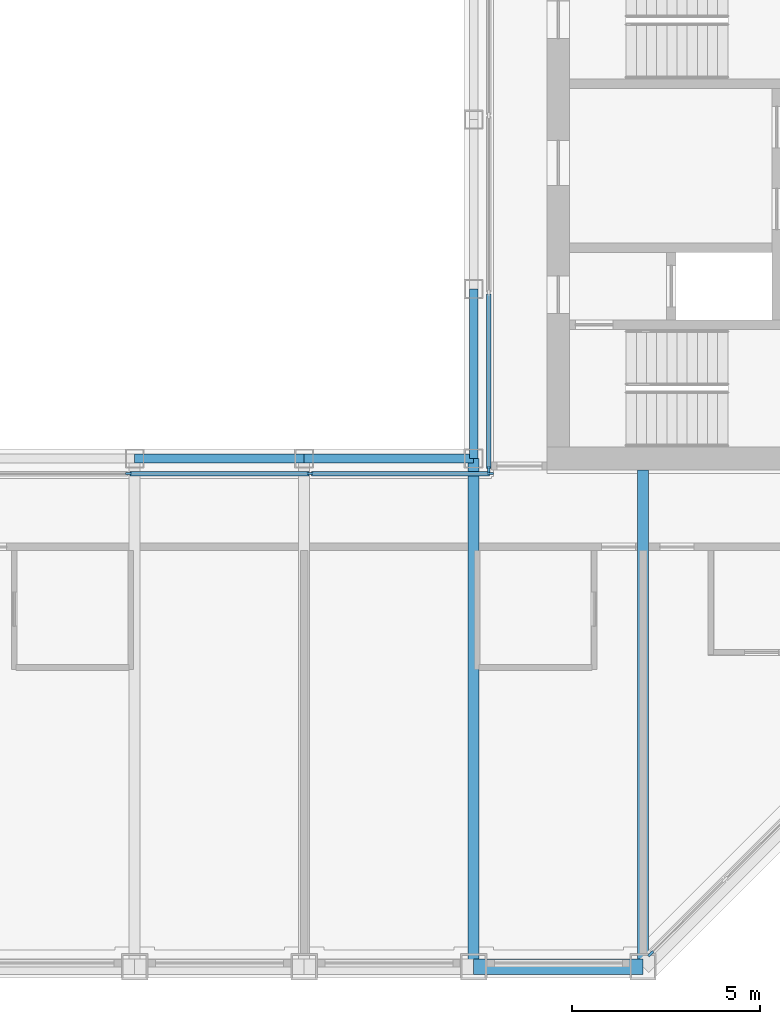
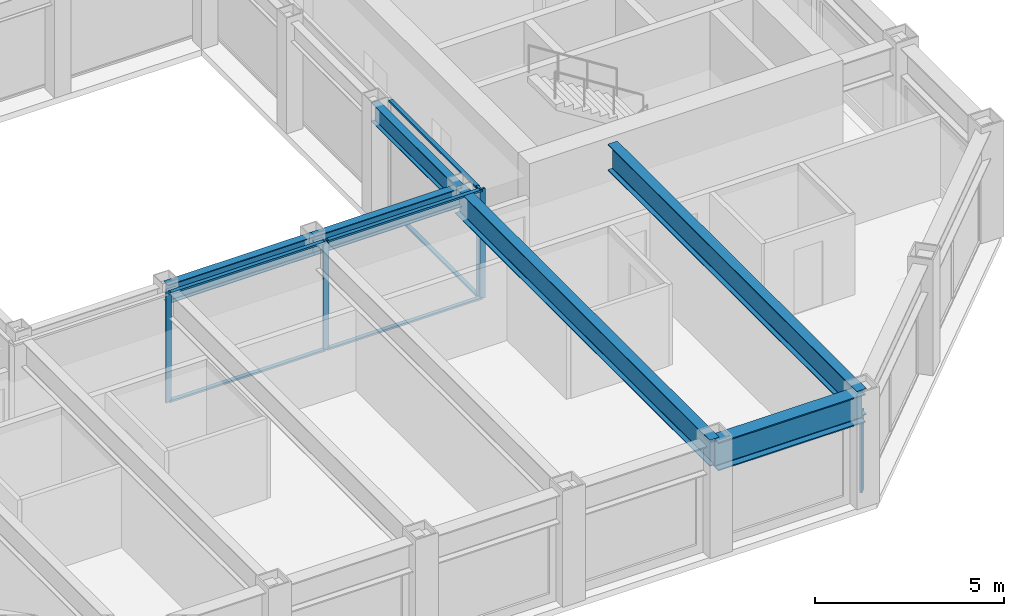
# One storey, part 3 of 16: 11 members, 6 beams, 3 elements without a shape of their own.
"""IFC4 building model written with IfcOpenShell, lengths in metres."""

import ifcopenshell
import ifcopenshell.guid

model = None  # the IFC model being written
_history = None  # IfcOwnerHistory: only IFC2X3 demands one
_inside = {}  # id of a spatial element -> (the spatial element, [elements in it])
_under = {}  # id of a project, library or spatial element -> (it, [spatial elements below it])
_declared = {}  # id of a project -> (the project, [libraries it declares])
_typed = {}  # id of a type object -> (the type object, [elements of that type])
_made_of = {}  # id of a material, layer set ... -> (it, [elements and type objects made of it])


def new_model(schema):
    """Start an empty IFC model of exactly this schema.

    Asked for "IFC4X3", IfcOpenShell would pick the latest addendum, in which some entities
    have other attributes; the version numbers below select the first issue.
    IFC2X3 requires an IfcOwnerHistory on every rooted entity: one is made here for all.
    """
    global model, _history
    if schema == "IFC4X3":
        model = ifcopenshell.file(schema_version=(4, 3, 0, 0))
    else:
        model = ifcopenshell.file(schema=schema)
    _inside.clear()
    _under.clear()
    _declared.clear()
    _typed.clear()
    _made_of.clear()
    _history = None
    if model.schema == "IFC2X3":
        org = make("IfcOrganization", Name="unknown")
        user = make(
            "IfcPersonAndOrganization",
            ThePerson=make("IfcPerson", FamilyName="unknown"),
            TheOrganization=org,
        )
        app = make(
            "IfcApplication",
            ApplicationDeveloper=org,
            Version="unknown",
            ApplicationFullName="unknown",
            ApplicationIdentifier="unknown",
        )
        _history = make(
            "IfcOwnerHistory",
            OwningUser=user,
            OwningApplication=app,
            ChangeAction="ADDED",
            CreationDate=0,
        )
    return model


def make(cls, **values):
    """One entity of the class cls with the attributes given. An attribute that is None is left unset."""
    return model.create_entity(
        cls, **{name: value for name, value in values.items() if value is not None}
    )


def rooted(cls, **values):
    """An entity with a GlobalId (a new one), such as an element, a storey or a relation."""
    return make(cls, GlobalId=ifcopenshell.guid.new(), OwnerHistory=_history, **values)


def si_unit(unit_type, name, prefix=None):
    """IfcSIUnit, for example si_unit("LENGTHUNIT", "METRE", prefix="MILLI")."""
    return make("IfcSIUnit", UnitType=unit_type, Prefix=prefix, Name=name)


def assignment(units):
    """IfcUnitAssignment: the units of a project."""
    return None if units is None else make("IfcUnitAssignment", Units=units)


def point(xyz):
    """IfcCartesianPoint."""
    return None if xyz is None else make("IfcCartesianPoint", Coordinates=xyz)


def direction(xyz):
    """IfcDirection."""
    return None if xyz is None else make("IfcDirection", DirectionRatios=xyz)


def frame(location, z_axis=None, x_axis=None):
    """IfcAxis2Placement3D, a coordinate frame: its origin and axes. An axis left out is left unset."""
    return make(
        "IfcAxis2Placement3D",
        Location=point(location),
        Axis=direction(z_axis),
        RefDirection=direction(x_axis),
    )


def frame_2d(location, x_axis=None):
    """IfcAxis2Placement2D, a coordinate frame in the plane: its origin and x axis."""
    return make(
        "IfcAxis2Placement2D", Location=point(location), RefDirection=direction(x_axis)
    )


def origin():
    """The frame at (0, 0, 0) with its axes left unset."""
    return frame((0.0, 0.0, 0.0))


def origin_2d():
    """The frame at (0, 0) in the plane with its x axis left unset."""
    return frame_2d((0.0, 0.0))


def place(relative_to, where):
    """IfcLocalPlacement: puts the frame where relative to a parent placement (None: the world)."""
    return make(
        "IfcLocalPlacement", PlacementRelTo=relative_to, RelativePlacement=where
    )


def context(
    kind, dimensions, precision=None, world=None, true_north=None, identifier=None
):
    """IfcGeometricRepresentationContext, for example the 3D "Model" context."""
    return make(
        "IfcGeometricRepresentationContext",
        ContextIdentifier=identifier,
        ContextType=kind,
        CoordinateSpaceDimension=dimensions,
        Precision=precision,
        WorldCoordinateSystem=world,
        TrueNorth=true_north,
    )


def subcontext(parent, identifier, kind, view, scale=None):
    """IfcGeometricRepresentationSubContext, for example "Body" below "Model"."""
    return make(
        "IfcGeometricRepresentationSubContext",
        ContextIdentifier=identifier,
        ContextType=kind,
        ParentContext=parent,
        TargetScale=scale,
        TargetView=view,
    )


def project(units=None, contexts=None):
    """IfcProject with its units and contexts."""
    return rooted(
        "IfcProject",
        Name="project",
        RepresentationContexts=contexts,
        UnitsInContext=assignment(units),
    )


def spatial(cls, under=None, at=None, **own):
    """A site, building, storey or space (cls), placed at a placement, below another one or the project."""
    s = rooted(cls, ObjectPlacement=at, **own)
    if under is not None:
        _under.setdefault(under.id(), (under, []))[1].append(s)
    return s


def profile(cls, at=None, kind="AREA", **sizes):
    """A parametric profile (cls). Its sizes go by their IFC names, for example OverallWidth=200.0."""
    return make(cls, ProfileType=kind, Position=at, **sizes)


def rectangle(**sizes):
    """IfcRectangleProfileDef."""
    return profile("IfcRectangleProfileDef", **sizes)


def i_section(**sizes):
    """IfcIShapeProfileDef."""
    return profile("IfcIShapeProfileDef", **sizes)


def extrude(swept, where, along, depth):
    """IfcExtrudedAreaSolid: the profile swept, set in the frame where, extruded along a direction by depth."""
    return make(
        "IfcExtrudedAreaSolid",
        SweptArea=swept,
        Position=where,
        ExtrudedDirection=direction(along),
        Depth=depth,
    )


def shape(context_of_items, identifier, shape_type, items):
    """IfcShapeRepresentation: the items that make up one representation, for example the "Body"."""
    return make(
        "IfcShapeRepresentation",
        ContextOfItems=context_of_items,
        RepresentationIdentifier=identifier,
        RepresentationType=shape_type,
        Items=items,
    )


def material(Name=None, Category=None):
    """IfcMaterial."""
    return make("IfcMaterial", Name=Name, Category=Category)


def material_profile(
    of_material, cross_section, Name=None, Category=None, Priority=None
):
    """IfcMaterialProfile: a cross section and its material."""
    return make(
        "IfcMaterialProfile",
        Name=Name,
        Material=of_material,
        Profile=cross_section,
        Priority=Priority,
        Category=Category,
    )


def profile_set(profiles, Name=None, composite=None):
    """IfcMaterialProfileSet."""
    return make(
        "IfcMaterialProfileSet",
        Name=Name,
        MaterialProfiles=profiles,
        CompositeProfile=composite,
    )


def made_of(thing, what):
    """Note that an element or type object is made of a material, layer set ...; save() writes the relation."""
    if what is not None:
        _made_of.setdefault(what.id(), (what, []))[1].append(thing)
    return thing


def type_object(cls, material=None, **own):
    """A type object (cls), such as IfcWallType, which elements share."""
    return made_of(rooted(cls, **own), material)


def element(
    cls,
    number,
    at=None,
    inside=None,
    cuts=None,
    type_object=None,
    material=None,
    context=None,
    identifier="Body",
    shape_type=None,
    held_by="IfcProductDefinitionShape",
    body=None,
    shapes=None,
    **own,
):
    """One element of the class cls, such as IfcWall. Its Tag is "e" and its number.

    at: its placement. inside: the storey or other place that contains it. cuts: it is an
    opening in that element (IfcRelVoidsElement). A single representation is given by context,
    identifier, shape_type and body (its items); several are given by shapes. held_by: the class
    of the entity that holds the representations. save() writes the other relations.
    """
    e = rooted(cls, Tag="e%d" % number, ObjectPlacement=at, **own)
    if body is not None:
        shapes = [shape(context, identifier, shape_type, body)]
    if shapes is not None:
        e.Representation = make(held_by, Representations=shapes)
    if inside is not None:
        _inside.setdefault(inside.id(), (inside, []))[1].append(e)
    if cuts is not None:
        rooted(
            "IfcRelVoidsElement", RelatingBuildingElement=cuts, RelatedOpeningElement=e
        )
    if type_object is not None:
        _typed.setdefault(type_object.id(), (type_object, []))[1].append(e)
    return made_of(e, material)


def aggregate(whole, parts):
    """IfcRelAggregates: a whole, such as a stair, and the parts it consists of."""
    return rooted("IfcRelAggregates", RelatingObject=whole, RelatedObjects=parts)


def save(model, path):
    """Write the relations noted so far, then the file.

    IfcRelAggregates (storeys below a building ...), IfcRelContainedInSpatialStructure (elements
    in a storey), IfcRelDefinesByType, IfcRelAssociatesMaterial and IfcRelDeclares: one each for
    every whole, place, type object, material and project.
    """
    for whole, parts in _under.values():
        aggregate(whole, parts)
    for where, things in _inside.values():
        rooted(
            "IfcRelContainedInSpatialStructure",
            RelatedElements=things,
            RelatingStructure=where,
        )
    for kind, things in _typed.values():
        rooted("IfcRelDefinesByType", RelatedObjects=things, RelatingType=kind)
    for what, things in _made_of.values():
        rooted("IfcRelAssociatesMaterial", RelatedObjects=things, RelatingMaterial=what)
    for by, libraries in _declared.values():
        rooted("IfcRelDeclares", RelatingContext=by, RelatedDefinitions=libraries)
    model.write(path)


model = new_model("IFC4")

# Units and contexts
model_context = context("Model", 3, precision=1e-05, world=origin(), true_north=direction((0.0, 1.0)))
body_context = subcontext(model_context, "Body", "Model", "MODEL_VIEW")
ifc_project = project(units=[si_unit("LENGTHUNIT", "METRE"), si_unit("AREAUNIT", "SQUARE_METRE"), si_unit("VOLUMEUNIT", "CUBIC_METRE"), si_unit("PLANEANGLEUNIT", "RADIAN"), si_unit("MASSUNIT", "GRAM", prefix="KILO")], contexts=[model_context])

# Site, building, storey
site_placement = place(None, origin())
site = spatial("IfcSite", under=ifc_project, at=site_placement, CompositionType="ELEMENT")
building_placement = place(site_placement, origin())
building = spatial("IfcBuilding", under=site, at=building_placement, Name="Msasa Ring Tower", CompositionType="ELEMENT")
storey_placement = place(building_placement, frame((0.0, 0.0, 212.050048828125)))
storey = spatial("IfcBuildingStorey", under=building, at=storey_placement, Name="L55", CompositionType="ELEMENT", Elevation=212.050048828125)

# Curtain wall, member
ifc_material_1 = material(Name="Aluminium curtain wall with clear glass", Category="aluminium")
curtain_wall_type_1 = type_object("IfcCurtainWallType", Name="CW-C CHAMFER CORNER CURTAIN WALL", PredefinedType="NOTDEFINED", material=ifc_material_1)
curtain_wall_1_placement = place(storey_placement, origin())
curtain_wall_1 = element("IfcCurtainWall", 1, at=curtain_wall_1_placement, inside=storey, type_object=curtain_wall_type_1, Name="Chamfer corner curtain wall SE L55", PredefinedType="NOTDEFINED")
ifc_material_2 = material(Name="Aluminium mullion", Category="aluminium")
ifc_material_profile_1 = material_profile(ifc_material_2, rectangle(XDim=0.06494140625, YDim=0.179931640625, at=origin_2d()), Name="AL 65x180")
ifc_profile_set_1 = profile_set([ifc_material_profile_1], Name="Aluminium mullion")
member_type_1 = type_object("IfcMemberType", Name="CW-C MULLION 65x180", PredefinedType="MULLION", material=ifc_profile_set_1)
member_1_placement = place(storey_placement, frame((11.453369140625, -19.9052734375, 0.0), z_axis=(0.0, 0.0, 1.0), x_axis=(-0.707106781187, 0.707106781187, 0.0)))
member_1 = element("IfcMember", 2, at=member_1_placement, type_object=member_type_1, Name="CW-C mullion 1", PredefinedType="MULLION", context=body_context, shape_type="SweptSolid", body=[
    extrude(rectangle(XDim=0.06494140625, YDim=0.179931640625, at=origin_2d()), origin(), (0.0, 0.0, 1.0), 2.62890625),
])
aggregate(curtain_wall_1, [member_1])

# Curtain wall, members
ifc_material_3 = material(Name="Aluminium curtain wall with clear glass", Category="aluminium")
curtain_wall_type_2 = type_object("IfcCurtainWallType", Name="CW-W LIGHT WELL CURTAIN WALL", PredefinedType="NOTDEFINED", material=ifc_material_3)
curtain_wall_2_placement = place(storey_placement, origin())
curtain_wall_2 = element("IfcCurtainWall", 3, at=curtain_wall_2_placement, inside=storey, type_object=curtain_wall_type_2, Name="Light well curtain wall S L55", PredefinedType="NOTDEFINED")
ifc_material_4 = material(Name="Aluminium mullion", Category="aluminium")
ifc_material_profile_2 = material_profile(ifc_material_4, rectangle(XDim=0.06005859375, YDim=0.159912109375, at=origin_2d()), Name="AL 60x160")
ifc_profile_set_2 = profile_set([ifc_material_profile_2], Name="Aluminium mullion")
member_type_2 = type_object("IfcMemberType", Name="CW-W MULLION 60x160", PredefinedType="MULLION", material=ifc_profile_set_2)
member_2_placement = place(storey_placement, frame((-2.409912109375, -7.14990234375, 0.0), z_axis=(0.0, 0.0, 1.0), x_axis=(0.0, 1.0, 0.0)))
member_2 = element("IfcMember", 4, at=member_2_placement, type_object=member_type_2, Name="CW-W mullion 2", PredefinedType="MULLION", context=body_context, shape_type="SweptSolid", body=[
    extrude(rectangle(XDim=0.06005859375, YDim=0.159912109375, at=origin_2d()), origin(), (0.0, 0.0, 1.0), 3.550048828125),
])
member_3_placement = place(storey_placement, frame((2.409912109375, -7.14990234375, 0.0), z_axis=(0.0, 0.0, 1.0), x_axis=(0.0, 1.0, 0.0)))
member_3 = element("IfcMember", 5, at=member_3_placement, type_object=member_type_2, Name="CW-W mullion 3", PredefinedType="MULLION", context=body_context, shape_type="SweptSolid", body=[
    extrude(rectangle(XDim=0.06005859375, YDim=0.159912109375, at=origin_2d()), origin(), (0.0, 0.0, 1.0), 3.550048828125),
])
member_4_placement = place(storey_placement, frame((7.199951171875, -7.14990234375, 0.0), z_axis=(0.0, 0.0, 1.0), x_axis=(0.0, 1.0, 0.0)))
member_4 = element("IfcMember", 6, at=member_4_placement, type_object=member_type_2, Name="CW-W mullion 4", PredefinedType="MULLION", context=body_context, shape_type="SweptSolid", body=[
    extrude(rectangle(XDim=0.06005859375, YDim=0.159912109375, at=origin_2d()), origin(), (0.0, 0.0, 1.0), 3.550048828125),
])

# Curtain wall, member
curtain_wall_3_placement = place(storey_placement, origin())
curtain_wall_3 = element("IfcCurtainWall", 7, at=curtain_wall_3_placement, inside=storey, type_object=curtain_wall_type_2, Name="Light well curtain wall E L55", PredefinedType="NOTDEFINED")
member_5_placement = place(storey_placement, frame((7.14990234375, -7.0400390625, 0.0), z_axis=(0.0, 0.0, 1.0), x_axis=(-1.0, 0.0, 0.0)))
member_5 = element("IfcMember", 8, at=member_5_placement, type_object=member_type_2, Name="CW-W mullion 1", PredefinedType="MULLION", context=body_context, shape_type="SweptSolid", body=[
    extrude(rectangle(XDim=0.06005859375, YDim=0.159912109375, at=origin_2d()), origin(), (0.0, 0.0, 1.0), 3.550048828125),
])

# Member
ifc_material_5 = material(Name="Aluminium transom", Category="aluminium")
ifc_material_profile_3 = material_profile(ifc_material_5, rectangle(XDim=0.1201171875, YDim=0.06005859375, at=origin_2d()), Name="AL 60x120")
ifc_profile_set_3 = profile_set([ifc_material_profile_3], Name="Aluminium transom")
member_type_3 = type_object("IfcMemberType", Name="CW-W TRANSOM 60x120", PredefinedType="USERDEFINED", material=ifc_profile_set_3)
member_6_placement = place(storey_placement, frame((-2.3798828125, -7.14990234375, 0.030029296875), z_axis=(1.0, 0.0, 0.0), x_axis=(0.0, 1.0, 0.0)))
member_6 = element("IfcMember", 9, at=member_6_placement, type_object=member_type_3, Name="CW-W transom 2.1", ObjectType="TRANSOM", PredefinedType="USERDEFINED", context=body_context, shape_type="SweptSolid", body=[
    extrude(rectangle(XDim=0.1201171875, YDim=0.06005859375, at=origin_2d()), origin(), (0.0, 0.0, 1.0), 4.759765625),
])

member_7_placement = place(storey_placement, frame((-2.3798828125, -7.14990234375, 3.52001953125), z_axis=(1.0, 0.0, 0.0), x_axis=(0.0, 1.0, 0.0)))
member_7 = element("IfcMember", 10, at=member_7_placement, type_object=member_type_3, Name="CW-W transom 2.2", ObjectType="TRANSOM", PredefinedType="USERDEFINED", context=body_context, shape_type="SweptSolid", body=[
    extrude(rectangle(XDim=0.1201171875, YDim=0.06005859375, at=origin_2d()), origin(), (0.0, 0.0, 1.0), 4.759765625),
])

member_8_placement = place(storey_placement, frame((2.43994140625, -7.14990234375, 0.030029296875), z_axis=(1.0, 0.0, 0.0), x_axis=(0.0, 1.0, 0.0)))
member_8 = element("IfcMember", 11, at=member_8_placement, type_object=member_type_3, Name="CW-W transom 3.1", ObjectType="TRANSOM", PredefinedType="USERDEFINED", context=body_context, shape_type="SweptSolid", body=[
    extrude(rectangle(XDim=0.1201171875, YDim=0.06005859375, at=origin_2d()), origin(), (0.0, 0.0, 1.0), 4.72998046875),
])

member_9_placement = place(storey_placement, frame((2.43994140625, -7.14990234375, 3.52001953125), z_axis=(1.0, 0.0, 0.0), x_axis=(0.0, 1.0, 0.0)))
member_9 = element("IfcMember", 12, at=member_9_placement, type_object=member_type_3, Name="CW-W transom 3.2", ObjectType="TRANSOM", PredefinedType="USERDEFINED", context=body_context, shape_type="SweptSolid", body=[
    extrude(rectangle(XDim=0.1201171875, YDim=0.06005859375, at=origin_2d()), origin(), (0.0, 0.0, 1.0), 4.72998046875),
])

aggregate(curtain_wall_2, [member_2, member_3, member_4, member_6, member_7, member_8, member_9])

member_10_placement = place(storey_placement, frame((7.14990234375, -7.010009765625, 0.030029296875), z_axis=(0.0, 1.0, 0.0), x_axis=(-1.0, 0.0, 0.0)))
member_10 = element("IfcMember", 13, at=member_10_placement, type_object=member_type_3, Name="CW-W transom 1.1", ObjectType="TRANSOM", PredefinedType="USERDEFINED", context=body_context, shape_type="SweptSolid", body=[
    extrude(rectangle(XDim=0.1201171875, YDim=0.06005859375, at=origin_2d()), origin(), (0.0, 0.0, 1.0), 4.623291015625),
])

member_11_placement = place(storey_placement, frame((7.14990234375, -7.010009765625, 3.52001953125), z_axis=(0.0, 1.0, 0.0), x_axis=(-1.0, 0.0, 0.0)))
member_11 = element("IfcMember", 14, at=member_11_placement, type_object=member_type_3, Name="CW-W transom 1.2", ObjectType="TRANSOM", PredefinedType="USERDEFINED", context=body_context, shape_type="SweptSolid", body=[
    extrude(rectangle(XDim=0.1201171875, YDim=0.06005859375, at=origin_2d()), origin(), (0.0, 0.0, 1.0), 4.623291015625),
])

aggregate(curtain_wall_3, [member_5, member_10, member_11])

# Beams
ifc_material_6 = material(Name="Steel S355", Category="steel")
ifc_material_profile_4 = material_profile(ifc_material_6, i_section(OverallWidth=0.293701171875, OverallDepth=0.850830078125, WebThickness=0.01611328125, FlangeThickness=0.02685546875, FilletRadius=0.017822265625, at=origin_2d()), Name="UB 838x292x226")
ifc_profile_set_4 = profile_set([ifc_material_profile_4], Name="Steel S355")
beam_type_1 = type_object("IfcBeamType", Name="FB5 UB 838x292x226", PredefinedType="BEAM", material=ifc_profile_set_4)
beam_1_placement = place(storey_placement, frame((6.75, -20.25, 3.12451171875), z_axis=(0.0, 1.0, 0.0), x_axis=(-1.0, 0.0, 0.0)))
element("IfcBeam", 15, at=beam_1_placement, inside=storey, type_object=beam_type_1, Name="Floor beam S+6.75 under L56", PredefinedType="BEAM", context=body_context, shape_type="SweptSolid", body=[
    extrude(i_section(OverallWidth=0.293701171875, OverallDepth=0.850830078125, WebThickness=0.01611328125, FlangeThickness=0.02685546875, FilletRadius=0.017822265625, at=origin_2d()), origin(), (0.0, 0.0, 1.0), 13.5),
])
beam_2_placement = place(storey_placement, frame((11.25, -20.25, 3.12451171875), z_axis=(0.0, 1.0, 0.0), x_axis=(-1.0, 0.0, 0.0)))
element("IfcBeam", 16, at=beam_2_placement, inside=storey, type_object=beam_type_1, Name="Floor beam S+11.25 under L56", PredefinedType="BEAM", context=body_context, shape_type="SweptSolid", body=[
    extrude(i_section(OverallWidth=0.293701171875, OverallDepth=0.850830078125, WebThickness=0.01611328125, FlangeThickness=0.02685546875, FilletRadius=0.017822265625, at=origin_2d()), origin(), (0.0, 0.0, 1.0), 13.199951171875),
])
ifc_material_7 = material(Name="Steel S355", Category="steel")
ifc_material_profile_5 = material_profile(ifc_material_7, i_section(OverallWidth=0.230224609375, OverallDepth=0.6171875, WebThickness=0.01318359375, FlangeThickness=0.022216796875, FilletRadius=0.0126953125, at=origin_2d()), Name="UB 610x229x140")
ifc_profile_set_5 = profile_set([ifc_material_profile_5], Name="Steel S355")
beam_type_2 = type_object("IfcBeamType", Name="RB1 UB 610x229x140", PredefinedType="BEAM", material=ifc_profile_set_5)
for number, where, z_axis, x_axis, name in (
    (17, (-2.25, -6.75, 3.241455078125), (1.0, 0.0, 0.0), (0.0, 1.0, 0.0), "Inner ring beam IR-2.25-6.75 under L56"),
    (18, (2.25, -6.75, 3.241455078125), (1.0, 0.0, 0.0), (0.0, 1.0, 0.0), "Inner ring beam IR+2.25-6.75 under L56"),
    (19, (6.75, -6.75, 3.241455078125), (0.0, 1.0, 0.0), (-1.0, 0.0, 0.0), "Inner ring beam IR+6.75-6.75 under L56"),
):
    element("IfcBeam", number, at=place(storey_placement, frame(where, z_axis=z_axis, x_axis=x_axis)), inside=storey, type_object=beam_type_2, Name=name, PredefinedType="BEAM", context=body_context, shape_type="SweptSolid", body=[
        extrude(i_section(OverallWidth=0.230224609375, OverallDepth=0.6171875, WebThickness=0.01318359375, FlangeThickness=0.022216796875, FilletRadius=0.0126953125, at=origin_2d()), origin(), (0.0, 0.0, 1.0), 4.5),
    ])
ifc_material_8 = material(Name="Steel S355", Category="steel")
ifc_material_profile_6 = material_profile(ifc_material_8, i_section(OverallWidth=0.42041015625, OverallDepth=0.9208984375, WebThickness=0.021484375, FlangeThickness=0.03662109375, FilletRadius=0.024169921875, at=origin_2d()), Name="UB 914x419x388")
ifc_profile_set_6 = profile_set([ifc_material_profile_6], Name="Steel S355")
beam_type_3 = type_object("IfcBeamType", Name="SB1 UB 914x419x388", PredefinedType="SPANDREL", material=ifc_profile_set_6)
beam_3_placement = place(storey_placement, frame((6.75, -20.25, 3.08935546875), z_axis=(1.0, 0.0, 0.0), x_axis=(0.0, 1.0, 0.0)))
element("IfcBeam", 20, at=beam_3_placement, inside=storey, type_object=beam_type_3, Name="Spandrel S+6.75 to S+11.25 under L56", PredefinedType="SPANDREL", context=body_context, shape_type="SweptSolid", body=[
    extrude(i_section(OverallWidth=0.42041015625, OverallDepth=0.9208984375, WebThickness=0.021484375, FlangeThickness=0.03662109375, FilletRadius=0.024169921875, at=origin_2d()), origin(), (0.0, 0.0, 1.0), 4.5),
])

save(model, "model.ifc")
